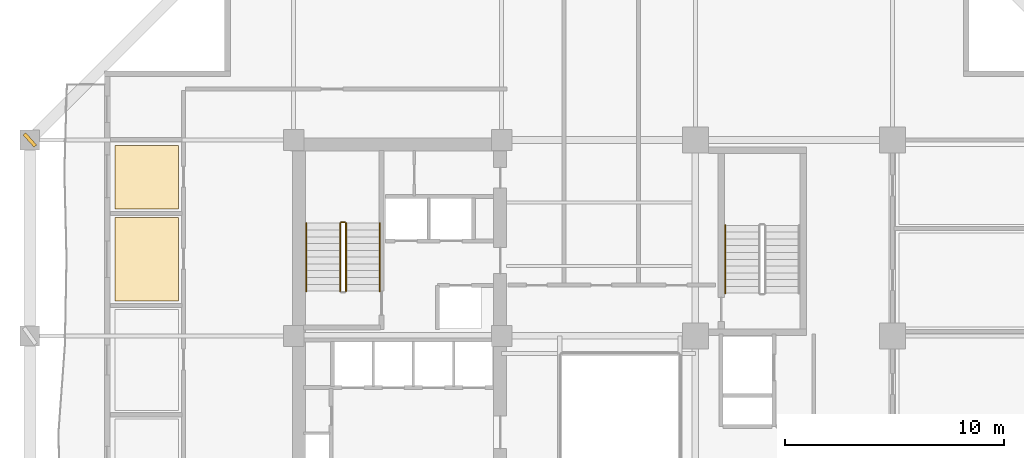
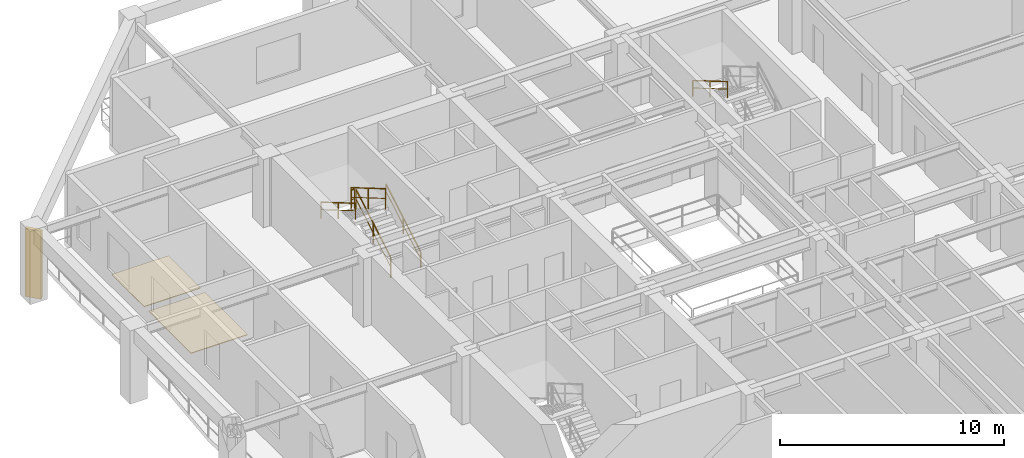
# One storey, part 12 of 14: 6 railings, 2 coverings, 1 shading device.
"""IFC4 building model written with IfcOpenShell, lengths in metres."""

from ifc_helpers import new_model, si_unit, direction, frame, origin, origin_2d, place, context, subcontext, project, spatial, polyline, rectangle, outline, extrude, material, layer, layer_set, type_object, element, save


model = new_model("IFC4")

# Units and contexts
model_context = context("Model", 3, precision=1e-05, world=origin(), true_north=direction((0.0, 1.0)))
body_context = subcontext(model_context, "Body", "Model", "MODEL_VIEW")
ifc_project = project(units=[si_unit("LENGTHUNIT", "METRE"), si_unit("AREAUNIT", "SQUARE_METRE"), si_unit("VOLUMEUNIT", "CUBIC_METRE"), si_unit("PLANEANGLEUNIT", "RADIAN"), si_unit("MASSUNIT", "GRAM", prefix="KILO")], contexts=[model_context])

# Site, building, storey
site_placement = place(None, origin())
site = spatial("IfcSite", under=ifc_project, at=site_placement, CompositionType="ELEMENT")
building_placement = place(site_placement, origin())
building = spatial("IfcBuilding", under=site, at=building_placement, Name="Kundavana Baori Tower", CompositionType="ELEMENT")
storey_placement = place(building_placement, frame((0.0, 0.0, 74.0)))
storey = spatial("IfcBuildingStorey", under=building, at=storey_placement, Name="L17", CompositionType="ELEMENT", Elevation=74.0)

# Coverings
ifc_material_1 = material(Name="Honed Kota Stone and Terrazzo Flooring", Category="masonry")
ifc_layer = layer(ifc_material_1, 0.030029296875, Name="COV-INT-FLR")
ifc_layer_set = layer_set([ifc_layer], Name="Honed Kota Stone and Terrazzo Flooring")
covering_type = type_object("IfcCoveringType", Name="COV-INT-FLR", PredefinedType="FLOORING", material=ifc_layer_set)
covering_1_placement = place(storey_placement, origin())
element("IfcCovering", 1, at=covering_1_placement, inside=storey, type_object=covering_type, Name="L17 Room Finished Stone Flooring 5", PredefinedType="FLOORING", context=body_context, shape_type="SweptSolid", body=[
    extrude(outline(polyline([(7.280029296875, 34.60009765625), (10.199951171875, 34.60009765625), (10.199951171875, 38.39990234375), (7.280029296875, 38.39990234375), (7.280029296875, 34.60009765625)])), origin(), (0.0, 0.0, 1.0), 0.030029296875),
])
covering_2_placement = place(storey_placement, origin())
element("IfcCovering", 2, at=covering_2_placement, inside=storey, type_object=covering_type, Name="L17 Room Finished Stone Flooring 6", PredefinedType="FLOORING", context=body_context, shape_type="SweptSolid", body=[
    extrude(outline(polyline([(7.280029296875, 38.800048828125), (10.199951171875, 38.800048828125), (10.199951171875, 41.699951171875), (7.280029296875, 41.699951171875), (7.280029296875, 38.800048828125)])), origin(), (0.0, 0.0, 1.0), 0.030029296875),
])

# Railings
ifc_material_2 = material(Name="Architectural Patinated Bronze Metalwork")
railing_type_1 = type_object("IfcRailingType", Name="RL-GRD-1150", PredefinedType="GUARDRAIL", material=ifc_material_2)
railing_1_placement = place(storey_placement, frame((17.840087890625, 35.050048828125, 0.181884765625)))
element("IfcRailing", 3, at=railing_1_placement, inside=storey, type_object=railing_type_1, Name="L17 ST2 stair guard 1", PredefinedType="GUARDRAIL", context=body_context, shape_type="SweptSolid", body=[
    extrude(rectangle(XDim=0.048095703125, YDim=0.048095703125, at=origin_2d()), frame((0.0, 0.0, 1.1259765625), z_axis=(0.0, 0.86258143422, 0.50591824373), x_axis=(-1.0, 0.0, 0.0)), (0.0, 0.0, 1.0), 3.59375),
    extrude(rectangle(XDim=0.03125, YDim=0.03125, at=origin_2d()), frame((0.0, 0.0, 0.597900390625), z_axis=(0.0, 0.86258143422, 0.50591824373), x_axis=(-1.0, 0.0, 0.0)), (0.0, 0.0, 1.0), 3.59375),
    extrude(rectangle(XDim=0.0419921875, YDim=0.0419921875, at=origin_2d()), origin(), (0.0, 0.0, 1.0), 1.101806640625),
    extrude(rectangle(XDim=0.0419921875, YDim=0.0419921875, at=origin_2d()), frame((0.0, 1.5498046875, 0.9091796875)), (0.0, 0.0, 1.0), 1.101806640625),
    extrude(rectangle(XDim=0.0419921875, YDim=0.0419921875, at=origin_2d()), frame((0.0, 3.099853515625, 1.818115234375)), (0.0, 0.0, 1.0), 1.101806640625),
])
railing_2_placement = place(storey_placement, frame((17.7900390625, 38.199951171875, 2.0)))
element("IfcRailing", 4, at=railing_2_placement, inside=storey, type_object=railing_type_1, Name="L17 ST2 stair guard 2", PredefinedType="GUARDRAIL", context=body_context, shape_type="SweptSolid", body=[
    extrude(rectangle(XDim=0.048095703125, YDim=0.048095703125, at=origin_2d()), frame((0.0, 0.0, 1.1259765625), z_axis=(-1.0, 0.0, 0.0), x_axis=(0.0, -1.0, 0.0)), (0.0, 0.0, 1.0), 0.16015625),
    extrude(rectangle(XDim=0.03125, YDim=0.03125, at=origin_2d()), frame((0.0, 0.0, 0.597900390625), z_axis=(-1.0, 0.0, 0.0), x_axis=(0.0, -1.0, 0.0)), (0.0, 0.0, 1.0), 0.16015625),
    extrude(rectangle(XDim=0.0419921875, YDim=0.0419921875, at=origin_2d()), origin(), (0.0, 0.0, 1.0), 1.101806640625),
    extrude(rectangle(XDim=0.0419921875, YDim=0.0419921875, at=origin_2d()), frame((-0.16015625, 0.0, 0.0)), (0.0, 0.0, 1.0), 1.101806640625),
])
railing_3_placement = place(storey_placement, frame((17.580078125, 38.14990234375, 2.181884765625)))
element("IfcRailing", 5, at=railing_3_placement, inside=storey, type_object=railing_type_1, Name="L17 ST2 stair guard 3", PredefinedType="GUARDRAIL", context=body_context, shape_type="SweptSolid", body=[
    extrude(rectangle(XDim=0.048095703125, YDim=0.048095703125, at=origin_2d()), frame((0.0, 0.0, 1.1259765625), z_axis=(0.0, -0.86258143422, 0.50591824373), x_axis=(1.0, 0.0, 0.0)), (0.0, 0.0, 1.0), 3.59375),
    extrude(rectangle(XDim=0.03125, YDim=0.03125, at=origin_2d()), frame((0.0, 0.0, 0.597900390625), z_axis=(0.0, -0.86258143422, 0.50591824373), x_axis=(1.0, 0.0, 0.0)), (0.0, 0.0, 1.0), 3.59375),
    extrude(rectangle(XDim=0.0419921875, YDim=0.0419921875, at=origin_2d()), origin(), (0.0, 0.0, 1.0), 1.101806640625),
    extrude(rectangle(XDim=0.0419921875, YDim=0.0419921875, at=origin_2d()), frame((0.0, -1.5498046875, 0.9091796875)), (0.0, 0.0, 1.0), 1.101806640625),
    extrude(rectangle(XDim=0.0419921875, YDim=0.0419921875, at=origin_2d()), frame((0.0, -3.099853515625, 1.818115234375)), (0.0, 0.0, 1.0), 1.101806640625),
])
ifc_material_3 = material(Name="Architectural Patinated Bronze Metalwork")
railing_type_2 = type_object("IfcRailingType", Name="RL-HND-920", PredefinedType="HANDRAIL", material=ifc_material_3)
railing_4_placement = place(storey_placement, frame((19.389892578125, 35.050048828125, 0.181884765625)))
element("IfcRailing", 6, at=railing_4_placement, inside=storey, type_object=railing_type_2, Name="L17 ST2 stair handrail 1", PredefinedType="HANDRAIL", context=body_context, shape_type="SweptSolid", body=[
    extrude(rectangle(XDim=0.048095703125, YDim=0.048095703125, at=origin_2d()), frame((0.0, 0.0, 0.8759765625), z_axis=(0.0, 0.86258143422, 0.50591824373), x_axis=(-1.0, 0.0, 0.0)), (0.0, 0.0, 1.0), 3.59375),
    extrude(rectangle(XDim=0.03125, YDim=0.03125, at=origin_2d()), frame((0.0, 0.0, 0.468017578125), z_axis=(0.0, 0.86258143422, 0.50591824373), x_axis=(-1.0, 0.0, 0.0)), (0.0, 0.0, 1.0), 3.59375),
    extrude(rectangle(XDim=0.0419921875, YDim=0.0419921875, at=origin_2d()), origin(), (0.0, 0.0, 1.0), 0.851806640625),
    extrude(rectangle(XDim=0.0419921875, YDim=0.0419921875, at=origin_2d()), frame((0.0, 1.5498046875, 0.9091796875)), (0.0, 0.0, 1.0), 0.851806640625),
    extrude(rectangle(XDim=0.0419921875, YDim=0.0419921875, at=origin_2d()), frame((0.0, 3.099853515625, 1.818115234375)), (0.0, 0.0, 1.0), 0.851806640625),
])
railing_5_placement = place(storey_placement, frame((16.030029296875, 38.14990234375, 2.181884765625)))
element("IfcRailing", 7, at=railing_5_placement, inside=storey, type_object=railing_type_2, Name="L17 ST2 stair handrail 2", PredefinedType="HANDRAIL", context=body_context, shape_type="SweptSolid", body=[
    extrude(rectangle(XDim=0.048095703125, YDim=0.048095703125, at=origin_2d()), frame((0.0, 0.0, 0.8759765625), z_axis=(0.0, -0.86258143422, 0.50591824373), x_axis=(1.0, 0.0, 0.0)), (0.0, 0.0, 1.0), 3.59375),
    extrude(rectangle(XDim=0.03125, YDim=0.03125, at=origin_2d()), frame((0.0, 0.0, 0.468017578125), z_axis=(0.0, -0.86258143422, 0.50591824373), x_axis=(1.0, 0.0, 0.0)), (0.0, 0.0, 1.0), 3.59375),
    extrude(rectangle(XDim=0.0419921875, YDim=0.0419921875, at=origin_2d()), origin(), (0.0, 0.0, 1.0), 0.851806640625),
    extrude(rectangle(XDim=0.0419921875, YDim=0.0419921875, at=origin_2d()), frame((0.0, -1.5498046875, 0.9091796875)), (0.0, 0.0, 1.0), 0.851806640625),
    extrude(rectangle(XDim=0.0419921875, YDim=0.0419921875, at=origin_2d()), frame((0.0, -3.099853515625, 1.818115234375)), (0.0, 0.0, 1.0), 0.851806640625),
])
railing_6_placement = place(storey_placement, frame((35.169921875, 38.050048828125, 2.181884765625)))
element("IfcRailing", 8, at=railing_6_placement, inside=storey, type_object=railing_type_2, Name="L17 ST3 stair handrail 2", PredefinedType="HANDRAIL", context=body_context, shape_type="SweptSolid", body=[
    extrude(rectangle(XDim=0.048095703125, YDim=0.048095703125, at=origin_2d()), frame((0.0, 0.0, 0.8759765625), z_axis=(0.0, -0.862598821094, 0.505888598258), x_axis=(1.0, 0.0, 0.0)), (0.0, 0.0, 1.0), 3.593994140625),
    extrude(rectangle(XDim=0.03125, YDim=0.03125, at=origin_2d()), frame((0.0, 0.0, 0.468017578125), z_axis=(0.0, -0.862598821094, 0.505888598258), x_axis=(1.0, 0.0, 0.0)), (0.0, 0.0, 1.0), 3.593994140625),
    extrude(rectangle(XDim=0.0419921875, YDim=0.0419921875, at=origin_2d()), origin(), (0.0, 0.0, 1.0), 0.851806640625),
    extrude(rectangle(XDim=0.0419921875, YDim=0.0419921875, at=origin_2d()), frame((0.0, -1.550048828125, 0.9091796875)), (0.0, 0.0, 1.0), 0.851806640625),
    extrude(rectangle(XDim=0.0419921875, YDim=0.0419921875, at=origin_2d()), frame((0.0, -3.10009765625, 1.818115234375)), (0.0, 0.0, 1.0), 0.851806640625),
])

# Shading device
ifc_material_4 = material(Name="Red-Buff Dholpur Sandstone Cladding on Concrete C40/50", Category="masonry")
shading_device_type = type_object("IfcShadingDeviceType", Name="SHD-FIN-750", PredefinedType="JALOUSIE", material=ifc_material_4)
shading_device_placement = place(storey_placement, frame((3.39990234375, 41.949951171875, 0.0), z_axis=(0.0, 0.0, 1.0), x_axis=(0.745126901925, 0.666922709185, 0.0)))
element("IfcShadingDevice", 9, at=shading_device_placement, inside=storey, type_object=shading_device_type, Name="L17 Sweeping Dholpur Sandstone Facade Fin 8", PredefinedType="JALOUSIE", context=body_context, shape_type="SweptSolid", body=[
    extrude(rectangle(XDim=0.159912109375, YDim=0.75, at=origin_2d()), origin(), (0.0, 0.0, 1.0), 3.719970703125),
])

save(model, "model.ifc")
